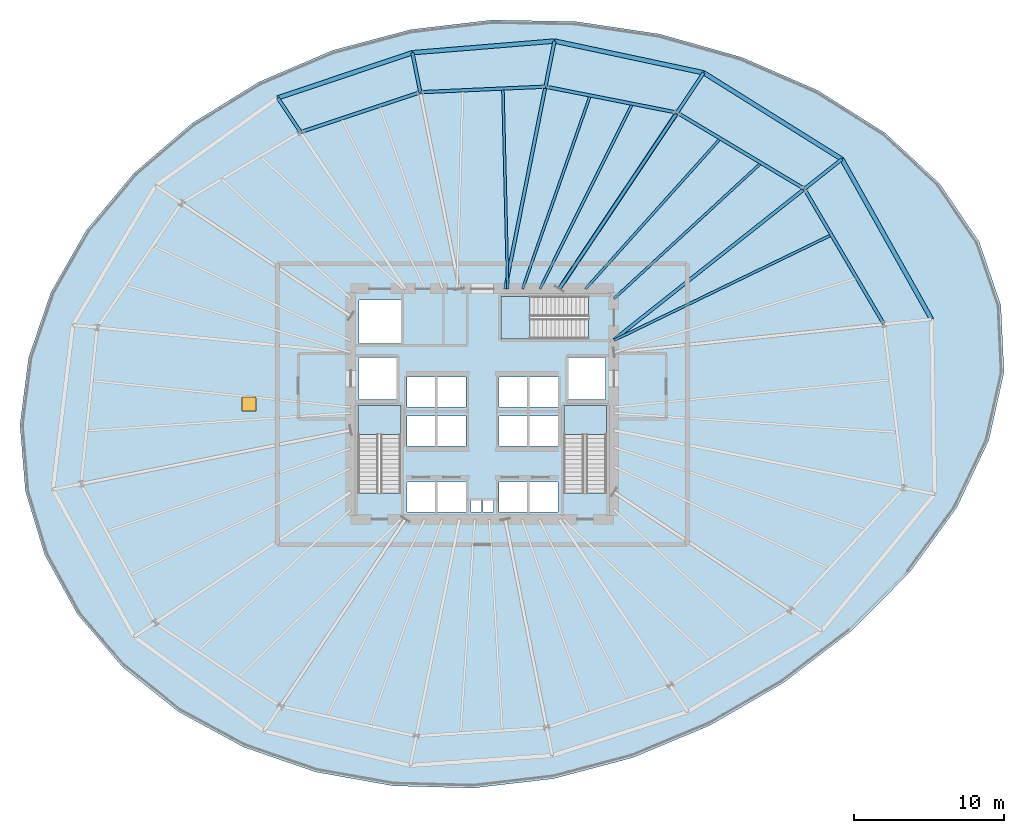
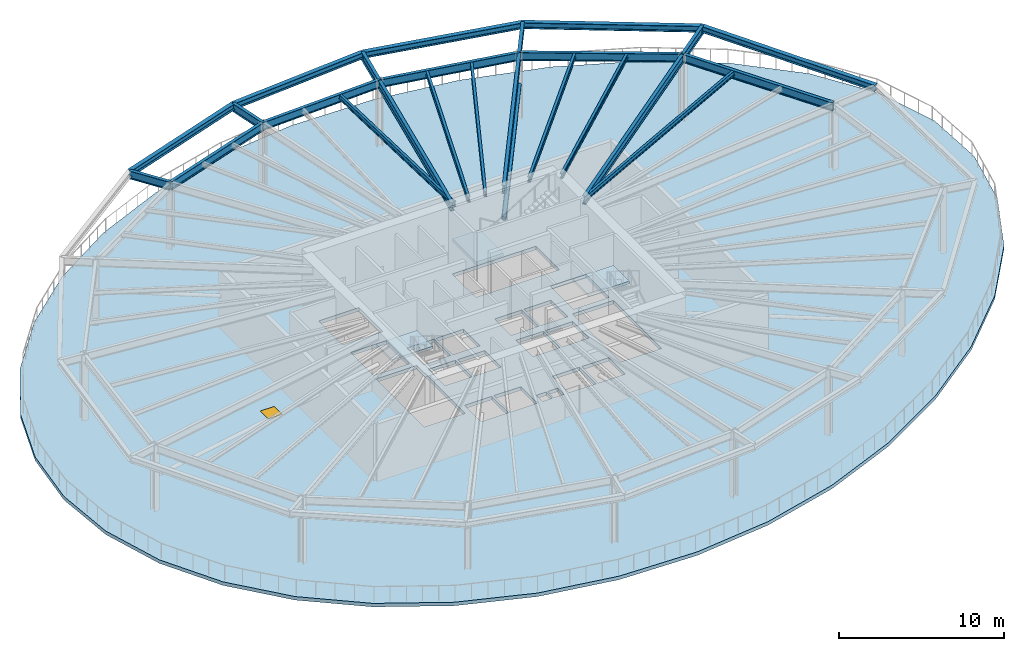
# One storey, part 3 of 9: 24 beams, 4 slabs, 1 door, 1 member, 1 opening, 3 elements without a shape of their own.
"""IFC4 building model written with IfcOpenShell, lengths in metres."""

import ifcopenshell
import ifcopenshell.guid

model = None  # the IFC model being written
_history = None  # IfcOwnerHistory: only IFC2X3 demands one
_inside = {}  # id of a spatial element -> (the spatial element, [elements in it])
_under = {}  # id of a project, library or spatial element -> (it, [spatial elements below it])
_declared = {}  # id of a project -> (the project, [libraries it declares])
_typed = {}  # id of a type object -> (the type object, [elements of that type])
_made_of = {}  # id of a material, layer set ... -> (it, [elements and type objects made of it])


def new_model(schema):
    """Start an empty IFC model of exactly this schema.

    Asked for "IFC4X3", IfcOpenShell would pick the latest addendum, in which some entities
    have other attributes; the version numbers below select the first issue.
    IFC2X3 requires an IfcOwnerHistory on every rooted entity: one is made here for all.
    """
    global model, _history
    if schema == "IFC4X3":
        model = ifcopenshell.file(schema_version=(4, 3, 0, 0))
    else:
        model = ifcopenshell.file(schema=schema)
    _inside.clear()
    _under.clear()
    _declared.clear()
    _typed.clear()
    _made_of.clear()
    _history = None
    if model.schema == "IFC2X3":
        org = make("IfcOrganization", Name="unknown")
        user = make(
            "IfcPersonAndOrganization",
            ThePerson=make("IfcPerson", FamilyName="unknown"),
            TheOrganization=org,
        )
        app = make(
            "IfcApplication",
            ApplicationDeveloper=org,
            Version="unknown",
            ApplicationFullName="unknown",
            ApplicationIdentifier="unknown",
        )
        _history = make(
            "IfcOwnerHistory",
            OwningUser=user,
            OwningApplication=app,
            ChangeAction="ADDED",
            CreationDate=0,
        )
    return model


def make(cls, **values):
    """One entity of the class cls with the attributes given. An attribute that is None is left unset."""
    return model.create_entity(
        cls, **{name: value for name, value in values.items() if value is not None}
    )


def rooted(cls, **values):
    """An entity with a GlobalId (a new one), such as an element, a storey or a relation."""
    return make(cls, GlobalId=ifcopenshell.guid.new(), OwnerHistory=_history, **values)


def si_unit(unit_type, name, prefix=None):
    """IfcSIUnit, for example si_unit("LENGTHUNIT", "METRE", prefix="MILLI")."""
    return make("IfcSIUnit", UnitType=unit_type, Prefix=prefix, Name=name)


def assignment(units):
    """IfcUnitAssignment: the units of a project."""
    return None if units is None else make("IfcUnitAssignment", Units=units)


def point(xyz):
    """IfcCartesianPoint."""
    return None if xyz is None else make("IfcCartesianPoint", Coordinates=xyz)


def direction(xyz):
    """IfcDirection."""
    return None if xyz is None else make("IfcDirection", DirectionRatios=xyz)


def frame(location, z_axis=None, x_axis=None):
    """IfcAxis2Placement3D, a coordinate frame: its origin and axes. An axis left out is left unset."""
    return make(
        "IfcAxis2Placement3D",
        Location=point(location),
        Axis=direction(z_axis),
        RefDirection=direction(x_axis),
    )


def frame_2d(location, x_axis=None):
    """IfcAxis2Placement2D, a coordinate frame in the plane: its origin and x axis."""
    return make(
        "IfcAxis2Placement2D", Location=point(location), RefDirection=direction(x_axis)
    )


def origin():
    """The frame at (0, 0, 0) with its axes left unset."""
    return frame((0.0, 0.0, 0.0))


def origin_2d():
    """The frame at (0, 0) in the plane with its x axis left unset."""
    return frame_2d((0.0, 0.0))


def place(relative_to, where):
    """IfcLocalPlacement: puts the frame where relative to a parent placement (None: the world)."""
    return make(
        "IfcLocalPlacement", PlacementRelTo=relative_to, RelativePlacement=where
    )


def context(
    kind, dimensions, precision=None, world=None, true_north=None, identifier=None
):
    """IfcGeometricRepresentationContext, for example the 3D "Model" context."""
    return make(
        "IfcGeometricRepresentationContext",
        ContextIdentifier=identifier,
        ContextType=kind,
        CoordinateSpaceDimension=dimensions,
        Precision=precision,
        WorldCoordinateSystem=world,
        TrueNorth=true_north,
    )


def subcontext(parent, identifier, kind, view, scale=None):
    """IfcGeometricRepresentationSubContext, for example "Body" below "Model"."""
    return make(
        "IfcGeometricRepresentationSubContext",
        ContextIdentifier=identifier,
        ContextType=kind,
        ParentContext=parent,
        TargetScale=scale,
        TargetView=view,
    )


def project(units=None, contexts=None):
    """IfcProject with its units and contexts."""
    return rooted(
        "IfcProject",
        Name="project",
        RepresentationContexts=contexts,
        UnitsInContext=assignment(units),
    )


def spatial(cls, under=None, at=None, **own):
    """A site, building, storey or space (cls), placed at a placement, below another one or the project."""
    s = rooted(cls, ObjectPlacement=at, **own)
    if under is not None:
        _under.setdefault(under.id(), (under, []))[1].append(s)
    return s


def polyline(points):
    """IfcPolyline through the points."""
    return make("IfcPolyline", Points=[point(p) for p in points])


def profile(cls, at=None, kind="AREA", **sizes):
    """A parametric profile (cls). Its sizes go by their IFC names, for example OverallWidth=200.0."""
    return make(cls, ProfileType=kind, Position=at, **sizes)


def rectangle(**sizes):
    """IfcRectangleProfileDef."""
    return profile("IfcRectangleProfileDef", **sizes)


def hollow_circle(**sizes):
    """IfcCircleHollowProfileDef."""
    return profile("IfcCircleHollowProfileDef", **sizes)


def i_section(**sizes):
    """IfcIShapeProfileDef."""
    return profile("IfcIShapeProfileDef", **sizes)


def outline(outer, holes=None, kind="AREA"):
    """IfcArbitraryClosedProfileDef: a profile drawn as a closed curve; with holes, ...WithVoids."""
    if holes is None:
        return make("IfcArbitraryClosedProfileDef", ProfileType=kind, OuterCurve=outer)
    return make(
        "IfcArbitraryProfileDefWithVoids",
        ProfileType=kind,
        OuterCurve=outer,
        InnerCurves=holes,
    )


def extrude(swept, where, along, depth):
    """IfcExtrudedAreaSolid: the profile swept, set in the frame where, extruded along a direction by depth."""
    return make(
        "IfcExtrudedAreaSolid",
        SweptArea=swept,
        Position=where,
        ExtrudedDirection=direction(along),
        Depth=depth,
    )


def shape(context_of_items, identifier, shape_type, items):
    """IfcShapeRepresentation: the items that make up one representation, for example the "Body"."""
    return make(
        "IfcShapeRepresentation",
        ContextOfItems=context_of_items,
        RepresentationIdentifier=identifier,
        RepresentationType=shape_type,
        Items=items,
    )


def source(mapping_origin, context_of_items, identifier, shape_type, items):
    """IfcRepresentationMap: a shape defined once, which mapped items show again and again."""
    return make(
        "IfcRepresentationMap",
        MappingOrigin=mapping_origin,
        MappedRepresentation=shape(context_of_items, identifier, shape_type, items),
    )


def transform(
    local_origin,
    x_axis=None,
    y_axis=None,
    z_axis=None,
    scale=None,
    scale2=None,
    scale3=None,
    uniform=True,
):
    """IfcCartesianTransformationOperator3D, or its non-uniform kind. x_axis, y_axis, z_axis: its Axis1, 2, 3."""
    if uniform:
        return make(
            "IfcCartesianTransformationOperator3D",
            Axis1=direction(x_axis),
            Axis2=direction(y_axis),
            LocalOrigin=point(local_origin),
            Scale=scale,
            Axis3=direction(z_axis),
        )
    return make(
        "IfcCartesianTransformationOperator3DnonUniform",
        Axis1=direction(x_axis),
        Axis2=direction(y_axis),
        LocalOrigin=point(local_origin),
        Scale=scale,
        Axis3=direction(z_axis),
        Scale2=scale2,
        Scale3=scale3,
    )


def mapped(mapping_source, mapping_target):
    """IfcMappedItem: shows the shape of a source again, moved by a transform."""
    return make(
        "IfcMappedItem", MappingSource=mapping_source, MappingTarget=mapping_target
    )


def material(Name=None, Category=None):
    """IfcMaterial."""
    return make("IfcMaterial", Name=Name, Category=Category)


def layer(
    of_material, thickness, ventilated=None, Name=None, Category=None, Priority=None
):
    """IfcMaterialLayer: one layer of a wall or slab, of a material (None: an air gap)."""
    return make(
        "IfcMaterialLayer",
        Material=of_material,
        LayerThickness=thickness,
        IsVentilated=ventilated,
        Name=Name,
        Category=Category,
        Priority=Priority,
    )


def layer_set(layers, Name=None):
    """IfcMaterialLayerSet."""
    return make("IfcMaterialLayerSet", MaterialLayers=layers, LayerSetName=Name)


def material_profile(
    of_material, cross_section, Name=None, Category=None, Priority=None
):
    """IfcMaterialProfile: a cross section and its material."""
    return make(
        "IfcMaterialProfile",
        Name=Name,
        Material=of_material,
        Profile=cross_section,
        Priority=Priority,
        Category=Category,
    )


def profile_set(profiles, Name=None, composite=None):
    """IfcMaterialProfileSet."""
    return make(
        "IfcMaterialProfileSet",
        Name=Name,
        MaterialProfiles=profiles,
        CompositeProfile=composite,
    )


def made_of(thing, what):
    """Note that an element or type object is made of a material, layer set ...; save() writes the relation."""
    if what is not None:
        _made_of.setdefault(what.id(), (what, []))[1].append(thing)
    return thing


def type_object(cls, material=None, **own):
    """A type object (cls), such as IfcWallType, which elements share."""
    return made_of(rooted(cls, **own), material)


def element(
    cls,
    number,
    at=None,
    inside=None,
    cuts=None,
    type_object=None,
    material=None,
    context=None,
    identifier="Body",
    shape_type=None,
    held_by="IfcProductDefinitionShape",
    body=None,
    shapes=None,
    **own,
):
    """One element of the class cls, such as IfcWall. Its Tag is "e" and its number.

    at: its placement. inside: the storey or other place that contains it. cuts: it is an
    opening in that element (IfcRelVoidsElement). A single representation is given by context,
    identifier, shape_type and body (its items); several are given by shapes. held_by: the class
    of the entity that holds the representations. save() writes the other relations.
    """
    e = rooted(cls, Tag="e%d" % number, ObjectPlacement=at, **own)
    if body is not None:
        shapes = [shape(context, identifier, shape_type, body)]
    if shapes is not None:
        e.Representation = make(held_by, Representations=shapes)
    if inside is not None:
        _inside.setdefault(inside.id(), (inside, []))[1].append(e)
    if cuts is not None:
        rooted(
            "IfcRelVoidsElement", RelatingBuildingElement=cuts, RelatedOpeningElement=e
        )
    if type_object is not None:
        _typed.setdefault(type_object.id(), (type_object, []))[1].append(e)
    return made_of(e, material)


def fill(opening, filler):
    """IfcRelFillsElement: the door or window that sits in an opening."""
    return rooted(
        "IfcRelFillsElement",
        RelatingOpeningElement=opening,
        RelatedBuildingElement=filler,
    )


def aggregate(whole, parts):
    """IfcRelAggregates: a whole, such as a stair, and the parts it consists of."""
    return rooted("IfcRelAggregates", RelatingObject=whole, RelatedObjects=parts)


def save(model, path):
    """Write the relations noted so far, then the file.

    IfcRelAggregates (storeys below a building ...), IfcRelContainedInSpatialStructure (elements
    in a storey), IfcRelDefinesByType, IfcRelAssociatesMaterial and IfcRelDeclares: one each for
    every whole, place, type object, material and project.
    """
    for whole, parts in _under.values():
        aggregate(whole, parts)
    for where, things in _inside.values():
        rooted(
            "IfcRelContainedInSpatialStructure",
            RelatedElements=things,
            RelatingStructure=where,
        )
    for kind, things in _typed.values():
        rooted("IfcRelDefinesByType", RelatedObjects=things, RelatingType=kind)
    for what, things in _made_of.values():
        rooted("IfcRelAssociatesMaterial", RelatedObjects=things, RelatingMaterial=what)
    for by, libraries in _declared.values():
        rooted("IfcRelDeclares", RelatingContext=by, RelatedDefinitions=libraries)
    model.write(path)


model = new_model("IFC4")

# Units and contexts
model_context = context("Model", 3, precision=1e-05, world=origin(), true_north=direction((0.0, 1.0)))
body_context = subcontext(model_context, "Body", "Model", "MODEL_VIEW")
ifc_project = project(units=[si_unit("LENGTHUNIT", "METRE"), si_unit("AREAUNIT", "SQUARE_METRE"), si_unit("VOLUMEUNIT", "CUBIC_METRE"), si_unit("PLANEANGLEUNIT", "RADIAN"), si_unit("MASSUNIT", "GRAM", prefix="KILO"), si_unit("THERMODYNAMICTEMPERATUREUNIT", "KELVIN")], contexts=[model_context])

# Site, building, storey
site_placement = place(None, origin())
site = spatial("IfcSite", under=ifc_project, at=site_placement, CompositionType="ELEMENT")
building_placement = place(site_placement, origin())
building = spatial("IfcBuilding", under=site, at=building_placement, Name="Kethvar Cultural Tower", CompositionType="ELEMENT")
storey_placement = place(building_placement, frame((0.0, 0.0, 75.199951171875)))
storey = spatial("IfcBuildingStorey", under=building, at=storey_placement, Name="L18", CompositionType="ELEMENT", Elevation=75.199951171875)

# Beams
ifc_material_1 = material(Name="Steel S355J2", Category="steel")
ifc_material_profile_1 = material_profile(ifc_material_1, i_section(OverallWidth=0.219970703125, OverallDepth=0.60009765625, WebThickness=0.011962890625, FlangeThickness=0.01904296875, FilletRadius=0.02392578125, at=origin_2d()), Name="Steel S355J2 — IPE600")
ifc_profile_set_1 = profile_set([ifc_material_profile_1], Name="Steel S355J2 — IPE600")
beam_type_1 = type_object("IfcBeamType", Name="BM-IPE600", PredefinedType="BEAM", material=ifc_profile_set_1)
shared_shape_1 = source(origin(), body_context, "Body", "SweptSolid", [
    extrude(i_section(OverallWidth=0.219970703125, OverallDepth=0.60009765625, WebThickness=0.011962890625, FlangeThickness=0.01904296875, FilletRadius=0.02392578125, at=origin_2d()), origin(), (0.0, 0.0, 1.0), 16.248779296875),
])
beam_1_placement = place(storey_placement, frame((55.60009765625, 32.10009765625, 4.588134765625), z_axis=(0.783831288624, 0.620973840813, 0.0), x_axis=(-0.620973840813, 0.783831288624, 0.0)))
element("IfcBeam", 1, at=beam_1_placement, inside=storey, type_object=beam_type_1, Name="L18 Primary Radial Beam RB-02", PredefinedType="BEAM", context=body_context, shape_type="MappedRepresentation", body=[
    mapped(shared_shape_1, transform((0.0, 0.0, 0.0), scale=1.0)),
])
shared_shape_2 = source(origin(), body_context, "Body", "SweptSolid", [
    extrude(i_section(OverallWidth=0.219970703125, OverallDepth=0.60009765625, WebThickness=0.011962890625, FlangeThickness=0.01904296875, FilletRadius=0.02392578125, at=origin_2d()), origin(), (0.0, 0.0, 1.0), 14.18359375),
])
beam_2_placement = place(storey_placement, frame((51.945068359375, 35.5, 4.588134765625), z_axis=(0.55556584065, 0.831472547174, 0.0), x_axis=(-0.831472547174, 0.55556584065, 0.0)))
element("IfcBeam", 2, at=beam_2_placement, inside=storey, type_object=beam_type_1, Name="L18 Primary Radial Beam RB-03", PredefinedType="BEAM", context=body_context, shape_type="MappedRepresentation", body=[
    mapped(shared_shape_2, transform((0.0, 0.0, 0.0), scale=1.0)),
])
shared_shape_3 = source(origin(), body_context, "Body", "SweptSolid", [
    extrude(i_section(OverallWidth=0.219970703125, OverallDepth=0.60009765625, WebThickness=0.011962890625, FlangeThickness=0.01904296875, FilletRadius=0.02392578125, at=origin_2d()), origin(), (0.0, 0.0, 1.0), 3.2001953125),
])
beam_3_placement = place(storey_placement, frame((59.824951171875, 47.293212890625, 4.588134765625), z_axis=(0.555544970406, 0.831486491686, 0.0), x_axis=(-0.831486491686, 0.555544970406, 0.0)))
element("IfcBeam", 3, at=beam_3_placement, inside=storey, type_object=beam_type_1, Name="L18 Perimeter Cantilever Beam RC-03", PredefinedType="BEAM", context=body_context, shape_type="MappedRepresentation", body=[
    mapped(shared_shape_3, transform((0.0, 0.0, 0.0), scale=1.0)),
])
shared_shape_4 = source(origin(), body_context, "Body", "SweptSolid", [
    extrude(i_section(OverallWidth=0.219970703125, OverallDepth=0.60009765625, WebThickness=0.011962890625, FlangeThickness=0.01904296875, FilletRadius=0.02392578125, at=origin_2d()), origin(), (0.0, 0.0, 1.0), 13.791015625),
])
beam_4_placement = place(storey_placement, frame((48.33154296875, 35.5, 4.588134765625), z_axis=(0.195104916429, 0.980782377281, 0.0), x_axis=(-0.980782377281, 0.195104916429, 0.0)))
element("IfcBeam", 4, at=beam_4_placement, inside=storey, type_object=beam_type_1, Name="L18 Primary Radial Beam RB-04", PredefinedType="BEAM", context=body_context, shape_type="MappedRepresentation", body=[
    mapped(shared_shape_4, transform((0.0, 0.0, 0.0), scale=1.0)),
])
shared_shape_5 = source(origin(), body_context, "Body", "SweptSolid", [
    extrude(i_section(OverallWidth=0.219970703125, OverallDepth=0.60009765625, WebThickness=0.011962890625, FlangeThickness=0.01904296875, FilletRadius=0.02392578125, at=origin_2d()), origin(), (0.0, 0.0, 1.0), 3.199951171875),
])
beam_5_placement = place(storey_placement, frame((68.33642578125, 42.190185546875, 4.588134765625), z_axis=(0.783844666756, 0.62095695374, 0.0), x_axis=(-0.62095695374, 0.783844666756, 0.0)))
element("IfcBeam", 5, at=beam_5_placement, inside=storey, type_object=beam_type_1, Name="L18 Perimeter Cantilever Beam RC-02", PredefinedType="BEAM", context=body_context, shape_type="MappedRepresentation", body=[
    mapped(shared_shape_5, transform((0.0, 0.0, 0.0), scale=1.0)),
])
shared_shape_6 = source(origin(), body_context, "Body", "SweptSolid", [
    extrude(i_section(OverallWidth=0.219970703125, OverallDepth=0.60009765625, WebThickness=0.011962890625, FlangeThickness=0.01904296875, FilletRadius=0.02392578125, at=origin_2d()), origin(), (0.0, 0.0, 1.0), 10.496337890625),
])
beam_6_placement = place(storey_placement, frame((73.65673828125, 33.14208984375, 4.588134765625), z_axis=(-0.506871712474, 0.862021500366, 0.0), x_axis=(-0.862021500366, -0.506871712474, 0.0)))
element("IfcBeam", 6, at=beam_6_placement, inside=storey, type_object=beam_type_1, Name="L18 Column Ring Tie Beam CR-01", PredefinedType="BEAM", context=body_context, shape_type="MappedRepresentation", body=[
    mapped(shared_shape_6, transform((0.0, 0.0, 0.0), scale=1.0)),
])
ifc_material_profile_2 = material_profile(ifc_material_1, i_section(OverallWidth=0.169921875, OverallDepth=0.360107421875, WebThickness=0.008056640625, FlangeThickness=0.0126953125, FilletRadius=0.01806640625, at=origin_2d()), Name="Steel S355J2 — IPE360")
ifc_profile_set_2 = profile_set([ifc_material_profile_2], Name="Steel S355J2 — IPE360")
beam_type_2 = type_object("IfcBeamType", Name="BM-J360", PredefinedType="JOIST", material=ifc_profile_set_2)
shared_shape_7 = source(origin(), body_context, "Body", "SweptSolid", [
    extrude(i_section(OverallWidth=0.169921875, OverallDepth=0.360107421875, WebThickness=0.008056640625, FlangeThickness=0.0126953125, FilletRadius=0.01806640625, at=origin_2d()), origin(), (0.0, 0.0, 1.0), 16.163330078125),
])
beam_7_placement = place(storey_placement, frame((55.60009765625, 32.064697265625, 4.7080078125), z_axis=(0.899890099721, 0.436116737151, 0.0), x_axis=(-0.436116737151, 0.899890099721, 0.0)))
element("IfcBeam", 7, at=beam_7_placement, inside=storey, type_object=beam_type_2, Name="L18 Composite Floor Joist J-01B", PredefinedType="JOIST", context=body_context, shape_type="MappedRepresentation", body=[
    mapped(shared_shape_7, transform((0.0, 0.0, 0.0), scale=1.0)),
])
shared_shape_8 = source(origin(), body_context, "Body", "SweptSolid", [
    extrude(i_section(OverallWidth=0.219970703125, OverallDepth=0.60009765625, WebThickness=0.011962890625, FlangeThickness=0.01904296875, FilletRadius=0.02392578125, at=origin_2d()), origin(), (0.0, 0.0, 1.0), 9.924072265625),
])
beam_8_placement = place(storey_placement, frame((68.33642578125, 42.190185546875, 4.588134765625), z_axis=(-0.857664361463, 0.514209921215, 0.0), x_axis=(-0.514209921215, -0.857664361463, 0.0)))
element("IfcBeam", 8, at=beam_8_placement, inside=storey, type_object=beam_type_1, Name="L18 Column Ring Tie Beam CR-02", PredefinedType="BEAM", context=body_context, shape_type="MappedRepresentation", body=[
    mapped(shared_shape_8, transform((0.0, 0.0, 0.0), scale=1.0)),
])
shared_shape_9 = source(origin(), body_context, "Body", "SweptSolid", [
    extrude(i_section(OverallWidth=0.169921875, OverallDepth=0.360107421875, WebThickness=0.008056640625, FlangeThickness=0.0126953125, FilletRadius=0.01806640625, at=origin_2d()), origin(), (0.0, 0.0, 1.0), 13.3876953125),
])
beam_9_placement = place(storey_placement, frame((55.60009765625, 34.85009765625, 4.7080078125), z_axis=(0.735175283276, 0.677877055859, 0.0), x_axis=(-0.677877055859, 0.735175283276, 0.0)))
element("IfcBeam", 9, at=beam_9_placement, inside=storey, type_object=beam_type_2, Name="L18 Composite Floor Joist J-02A", PredefinedType="JOIST", context=body_context, shape_type="MappedRepresentation", body=[
    mapped(shared_shape_9, transform((0.0, 0.0, 0.0), scale=1.0)),
])
shared_shape_10 = source(origin(), body_context, "Body", "SweptSolid", [
    extrude(i_section(OverallWidth=0.169921875, OverallDepth=0.360107421875, WebThickness=0.008056640625, FlangeThickness=0.0126953125, FilletRadius=0.01806640625, at=origin_2d()), origin(), (0.0, 0.0, 1.0), 13.508056640625),
])
beam_10_placement = place(storey_placement, frame((53.702392578125, 35.5, 4.7080078125), z_axis=(0.667503553274, 0.744606611821, 0.0), x_axis=(-0.744606611821, 0.667503553274, 0.0)))
element("IfcBeam", 10, at=beam_10_placement, inside=storey, type_object=beam_type_2, Name="L18 Composite Floor Joist J-02B", PredefinedType="JOIST", context=body_context, shape_type="MappedRepresentation", body=[
    mapped(shared_shape_10, transform((0.0, 0.0, 0.0), scale=1.0)),
])
shared_shape_11 = source(origin(), body_context, "Body", "SweptSolid", [
    extrude(i_section(OverallWidth=0.219970703125, OverallDepth=0.60009765625, WebThickness=0.011962890625, FlangeThickness=0.01904296875, FilletRadius=0.02392578125, at=origin_2d()), origin(), (0.0, 0.0, 1.0), 8.9716796875),
])
beam_11_placement = place(storey_placement, frame((59.824951171875, 47.293212890625, 4.588134765625), z_axis=(-0.981173751046, 0.193127083181, 0.0), x_axis=(-0.193127083181, -0.981173751046, 0.0)))
element("IfcBeam", 11, at=beam_11_placement, inside=storey, type_object=beam_type_1, Name="L18 Column Ring Tie Beam CR-03", PredefinedType="BEAM", context=body_context, shape_type="MappedRepresentation", body=[
    mapped(shared_shape_11, transform((0.0, 0.0, 0.0), scale=1.0)),
])
shared_shape_12 = source(origin(), body_context, "Body", "SweptSolid", [
    extrude(i_section(OverallWidth=0.169921875, OverallDepth=0.360107421875, WebThickness=0.008056640625, FlangeThickness=0.0126953125, FilletRadius=0.01806640625, at=origin_2d()), origin(), (0.0, 0.0, 1.0), 13.84130859375),
])
beam_12_placement = place(storey_placement, frame((50.646484375, 35.5, 4.7080078125), z_axis=(0.446889017672, 0.894589406311, 0.0), x_axis=(-0.894589406311, 0.446889017672, 0.0)))
element("IfcBeam", 12, at=beam_12_placement, inside=storey, type_object=beam_type_2, Name="L18 Composite Floor Joist J-03A", PredefinedType="JOIST", context=body_context, shape_type="MappedRepresentation", body=[
    mapped(shared_shape_12, transform((0.0, 0.0, 0.0), scale=1.0)),
])
shared_shape_13 = source(origin(), body_context, "Body", "SweptSolid", [
    extrude(i_section(OverallWidth=0.169921875, OverallDepth=0.360107421875, WebThickness=0.008056640625, FlangeThickness=0.0126953125, FilletRadius=0.01806640625, at=origin_2d()), origin(), (0.0, 0.0, 1.0), 13.70458984375),
])
beam_13_placement = place(storey_placement, frame((49.4921875, 35.5, 4.7080078125), z_axis=(0.330030618422, 0.943970227764, 0.0), x_axis=(-0.943970227764, 0.330030618422, 0.0)))
element("IfcBeam", 13, at=beam_13_placement, inside=storey, type_object=beam_type_2, Name="L18 Composite Floor Joist J-03B", PredefinedType="JOIST", context=body_context, shape_type="MappedRepresentation", body=[
    mapped(shared_shape_13, transform((0.0, 0.0, 0.0), scale=1.0)),
])
shared_shape_14 = source(origin(), body_context, "Body", "SweptSolid", [
    extrude(i_section(OverallWidth=0.219970703125, OverallDepth=0.60009765625, WebThickness=0.011962890625, FlangeThickness=0.01904296875, FilletRadius=0.02392578125, at=origin_2d()), origin(), (0.0, 0.0, 1.0), 8.378662109375),
])
beam_14_placement = place(storey_placement, frame((51.022216796875, 49.02587890625, 4.588134765625), z_axis=(-0.999023890534, -0.04417313825, 0.0), x_axis=(0.04417313825, -0.999023890534, 0.0)))
element("IfcBeam", 14, at=beam_14_placement, inside=storey, type_object=beam_type_1, Name="L18 Column Ring Tie Beam CR-04", PredefinedType="BEAM", context=body_context, shape_type="MappedRepresentation", body=[
    mapped(shared_shape_14, transform((0.0, 0.0, 0.0), scale=1.0)),
])
shared_shape_15 = source(origin(), body_context, "Body", "SweptSolid", [
    extrude(i_section(OverallWidth=0.169921875, OverallDepth=0.360107421875, WebThickness=0.008056640625, FlangeThickness=0.0126953125, FilletRadius=0.01806640625, at=origin_2d()), origin(), (0.0, 0.0, 1.0), 13.40380859375),
])
beam_15_placement = place(storey_placement, frame((48.5, 35.5, 4.7080078125), z_axis=(-0.024170322554, 0.999707855079, 0.0), x_axis=(-0.999707855079, -0.024170322554, 0.0)))
element("IfcBeam", 15, at=beam_15_placement, inside=storey, type_object=beam_type_2, Name="L18 Composite Floor Joist J-04A", PredefinedType="JOIST", context=body_context, shape_type="MappedRepresentation", body=[
    mapped(shared_shape_15, transform((0.0, 0.0, 0.0), scale=1.0)),
])
shared_shape_16 = source(origin(), body_context, "Body", "SweptSolid", [
    extrude(i_section(OverallWidth=0.219970703125, OverallDepth=0.60009765625, WebThickness=0.011962890625, FlangeThickness=0.01904296875, FilletRadius=0.02392578125, at=origin_2d()), origin(), (0.0, 0.0, 1.0), 8.437744140625),
])
beam_16_placement = place(storey_placement, frame((42.651611328125, 48.65576171875, 4.588134765625), z_axis=(-0.948772955115, -0.315958667618, 0.0), x_axis=(0.315958667618, -0.948772955115, 0.0)))
element("IfcBeam", 16, at=beam_16_placement, inside=storey, type_object=beam_type_1, Name="L18 Column Ring Tie Beam CR-05", PredefinedType="BEAM", context=body_context, shape_type="MappedRepresentation", body=[
    mapped(shared_shape_16, transform((0.0, 0.0, 0.0), scale=1.0)),
])
ifc_material_profile_3 = material_profile(ifc_material_1, i_section(OverallWidth=0.300048828125, OverallDepth=0.449951171875, WebThickness=0.013916015625, FlangeThickness=0.02587890625, FilletRadius=0.027099609375, at=origin_2d()), Name="Steel S355J2 — HEB450")
ifc_profile_set_3 = profile_set([ifc_material_profile_3], Name="Steel S355J2 — HEB450")
beam_type_3 = type_object("IfcBeamType", Name="BM-SP450", PredefinedType="SPANDREL", material=ifc_profile_set_3)
shared_shape_17 = source(origin(), body_context, "Body", "SweptSolid", [
    extrude(i_section(OverallWidth=0.300048828125, OverallDepth=0.449951171875, WebThickness=0.013916015625, FlangeThickness=0.02587890625, FilletRadius=0.027099609375, at=origin_2d()), origin(), (0.0, 0.0, 1.0), 12.266357421875),
])
beam_17_placement = place(storey_placement, frame((76.83935546875, 33.4755859375, 4.6630859375), z_axis=(-0.488708822027, 0.872446953845, 0.0), x_axis=(-0.872446953845, -0.488708822027, 0.0)))
element("IfcBeam", 17, at=beam_17_placement, inside=storey, type_object=beam_type_3, Name="L18 Perimeter Spandrel Beam SP-01", PredefinedType="SPANDREL", context=body_context, shape_type="MappedRepresentation", body=[
    mapped(shared_shape_17, transform((0.0, 0.0, 0.0), scale=1.0)),
])
shared_shape_18 = source(origin(), body_context, "Body", "SweptSolid", [
    extrude(i_section(OverallWidth=0.300048828125, OverallDepth=0.449951171875, WebThickness=0.013916015625, FlangeThickness=0.02587890625, FilletRadius=0.027099609375, at=origin_2d()), origin(), (0.0, 0.0, 1.0), 10.89892578125),
])
beam_18_placement = place(storey_placement, frame((70.8447265625, 44.17724609375, 4.6630859375), z_axis=(-0.847971875365, 0.530041223481, 0.0), x_axis=(-0.530041223481, -0.847971875365, 0.0)))
element("IfcBeam", 18, at=beam_18_placement, inside=storey, type_object=beam_type_3, Name="L18 Perimeter Spandrel Beam SP-02", PredefinedType="SPANDREL", context=body_context, shape_type="MappedRepresentation", body=[
    mapped(shared_shape_18, transform((0.0, 0.0, 0.0), scale=1.0)),
])
shared_shape_19 = source(origin(), body_context, "Body", "SweptSolid", [
    extrude(i_section(OverallWidth=0.219970703125, OverallDepth=0.60009765625, WebThickness=0.011962890625, FlangeThickness=0.01904296875, FilletRadius=0.02392578125, at=origin_2d()), origin(), (0.0, 0.0, 1.0), 3.11083984375),
])
beam_19_placement = place(storey_placement, frame((51.022216796875, 49.02587890625, 4.588134765625), z_axis=(0.195029332161, 0.980797410068, 0.0), x_axis=(-0.980797410068, 0.195029332161, 0.0)))
element("IfcBeam", 19, at=beam_19_placement, inside=storey, type_object=beam_type_1, Name="L18 Perimeter Cantilever Beam RC-04", PredefinedType="BEAM", context=body_context, shape_type="MappedRepresentation", body=[
    mapped(shared_shape_19, transform((0.0, 0.0, 0.0), scale=1.0)),
])
shared_shape_20 = source(origin(), body_context, "Body", "SweptSolid", [
    extrude(i_section(OverallWidth=0.219970703125, OverallDepth=0.60009765625, WebThickness=0.011962890625, FlangeThickness=0.01904296875, FilletRadius=0.02392578125, at=origin_2d()), origin(), (0.0, 0.0, 1.0), 2.693359375),
])
beam_20_placement = place(storey_placement, frame((42.651611328125, 48.65576171875, 4.588134765625), z_axis=(-0.19507010864, 0.980789300877, 0.0), x_axis=(-0.980789300877, -0.19507010864, 0.0)))
element("IfcBeam", 20, at=beam_20_placement, inside=storey, type_object=beam_type_1, Name="L18 Perimeter Cantilever Beam RC-05", PredefinedType="BEAM", context=body_context, shape_type="MappedRepresentation", body=[
    mapped(shared_shape_20, transform((0.0, 0.0, 0.0), scale=1.0)),
])
shared_shape_21 = source(origin(), body_context, "Body", "SweptSolid", [
    extrude(i_section(OverallWidth=0.219970703125, OverallDepth=0.60009765625, WebThickness=0.011962890625, FlangeThickness=0.01904296875, FilletRadius=0.02392578125, at=origin_2d()), origin(), (0.0, 0.0, 1.0), 2.74853515625),
])
beam_21_placement = place(storey_placement, frame((34.64599609375, 45.98974609375, 4.588134765625), z_axis=(-0.555581272011, 0.831462236178, 0.0), x_axis=(-0.831462236178, -0.555581272011, 0.0)))
element("IfcBeam", 21, at=beam_21_placement, inside=storey, type_object=beam_type_1, Name="L18 Perimeter Cantilever Beam RC-06", PredefinedType="BEAM", context=body_context, shape_type="MappedRepresentation", body=[
    mapped(shared_shape_21, transform((0.0, 0.0, 0.0), scale=1.0)),
])
shared_shape_22 = source(origin(), body_context, "Body", "SweptSolid", [
    extrude(i_section(OverallWidth=0.300048828125, OverallDepth=0.449951171875, WebThickness=0.013916015625, FlangeThickness=0.02587890625, FilletRadius=0.027099609375, at=origin_2d()), origin(), (0.0, 0.0, 1.0), 10.197265625),
])
beam_22_placement = place(storey_placement, frame((61.602783203125, 49.9541015625, 4.6630859375), z_axis=(-0.978091928786, 0.208173434529, 0.0), x_axis=(-0.208173434529, -0.978091928786, 0.0)))
element("IfcBeam", 22, at=beam_22_placement, inside=storey, type_object=beam_type_3, Name="L18 Perimeter Spandrel Beam SP-03", PredefinedType="SPANDREL", context=body_context, shape_type="MappedRepresentation", body=[
    mapped(shared_shape_22, transform((0.0, 0.0, 0.0), scale=1.0)),
])
shared_shape_23 = source(origin(), body_context, "Body", "SweptSolid", [
    extrude(i_section(OverallWidth=0.300048828125, OverallDepth=0.449951171875, WebThickness=0.013916015625, FlangeThickness=0.02587890625, FilletRadius=0.027099609375, at=origin_2d()), origin(), (0.0, 0.0, 1.0), 9.53466796875),
])
beam_23_placement = place(storey_placement, frame((51.62890625, 52.076904296875, 4.6630859375), z_axis=(-0.99665211902, -0.081759119699, 0.0), x_axis=(0.081759119699, -0.99665211902, 0.0)))
element("IfcBeam", 23, at=beam_23_placement, inside=storey, type_object=beam_type_3, Name="L18 Perimeter Spandrel Beam SP-04", PredefinedType="SPANDREL", context=body_context, shape_type="MappedRepresentation", body=[
    mapped(shared_shape_23, transform((0.0, 0.0, 0.0), scale=1.0)),
])
shared_shape_24 = source(origin(), body_context, "Body", "SweptSolid", [
    extrude(i_section(OverallWidth=0.300048828125, OverallDepth=0.449951171875, WebThickness=0.013916015625, FlangeThickness=0.02587890625, FilletRadius=0.027099609375, at=origin_2d()), origin(), (0.0, 0.0, 1.0), 9.500732421875),
])
beam_24_placement = place(storey_placement, frame((42.126220703125, 51.29736328125, 4.6630859375), z_axis=(-0.948057016755, -0.318100444799, 0.0), x_axis=(0.318100444799, -0.948057016755, 0.0)))
element("IfcBeam", 24, at=beam_24_placement, inside=storey, type_object=beam_type_3, Name="L18 Perimeter Spandrel Beam SP-05", PredefinedType="SPANDREL", context=body_context, shape_type="MappedRepresentation", body=[
    mapped(shared_shape_24, transform((0.0, 0.0, 0.0), scale=1.0)),
])

# Member
ifc_material_profile_4 = material_profile(ifc_material_1, hollow_circle(Radius=0.136474609375, WallThickness=0.012451171875, at=origin_2d()), Name="Steel S355J2 — CHS273x12.5")
ifc_profile_set_4 = profile_set([ifc_material_profile_4], Name="Steel S355J2 — CHS273x12.5")
member_type = type_object("IfcMemberType", Name="MB-WIND-STR", PredefinedType="STRUT", material=ifc_profile_set_4)
shared_shape_25 = source(origin(), body_context, "Body", "SweptSolid", [
    extrude(hollow_circle(Radius=0.136474609375, WallThickness=0.012451171875, at=origin_2d()), origin(), (0.0, 0.0, 1.0), 14.18359375),
])
member_placement = place(storey_placement, frame((51.945068359375, 35.5, 2.445068359375), z_axis=(0.55556584065, 0.831472547174, 0.0), x_axis=(-0.831472547174, 0.55556584065, 0.0)))
element("IfcMember", 25, at=member_placement, inside=storey, type_object=member_type, Name="L18 Wind-Floor Tie Strut WS-02", PredefinedType="STRUT", context=body_context, shape_type="MappedRepresentation", body=[
    mapped(shared_shape_25, transform((0.0, 0.0, 0.0), scale=1.0)),
])

# Stair, slab
ifc_material_2 = material(Name="Concrete C40/50", Category="concrete")
stair_type = type_object("IfcStairType", Name="ST-DOGLEG-135", PredefinedType="HALF_TURN_STAIR", material=ifc_material_2)
stair_1_placement = place(storey_placement, origin())
stair_1 = element("IfcStair", 26, at=stair_1_placement, inside=storey, type_object=stair_type, Name="L18 Core Exit Stair 1", PredefinedType="HALF_TURN_STAIR")
ifc_layer_1 = layer(ifc_material_2, 0.199951171875, Name="Concrete C40/50", Category="concrete")
ifc_layer_set_1 = layer_set([ifc_layer_1], Name="Concrete C40/50 (200 mm)")
slab_type_1 = type_object("IfcSlabType", Name="SL-STAIR-LANDING-200", PredefinedType="LANDING", material=ifc_layer_set_1)
slab_1_placement = place(storey_placement, frame((0.0, 0.0, 2.400146484375)))
slab_1 = element("IfcSlab", 27, at=slab_1_placement, type_object=slab_type_1, Name="ST-01 landing 1", PredefinedType="LANDING", context=body_context, shape_type="SweptSolid", body=[
    extrude(outline(polyline([(41.35009765625, 25.77001953125), (41.35009765625, 27.699951171875), (38.489990234375, 27.699951171875), (38.489990234375, 25.77001953125), (41.35009765625, 25.77001953125)])), origin(), (0.0, 0.0, 1.0), 0.199951171875),
])
aggregate(stair_1, [slab_1])

stair_2_placement = place(storey_placement, origin())
stair_2 = element("IfcStair", 28, at=stair_2_placement, inside=storey, type_object=stair_type, Name="L18 Core Exit Stair 2", PredefinedType="HALF_TURN_STAIR")
slab_2_placement = place(storey_placement, frame((0.0, 0.0, 2.400146484375)))
slab_2 = element("IfcSlab", 29, at=slab_2_placement, type_object=slab_type_1, Name="ST-02 landing 1", PredefinedType="LANDING", context=body_context, shape_type="SweptSolid", body=[
    extrude(outline(polyline([(55.110107421875, 25.77001953125), (55.110107421875, 27.699951171875), (52.25, 27.699951171875), (52.25, 25.77001953125), (55.110107421875, 25.77001953125)])), origin(), (0.0, 0.0, 1.0), 0.199951171875),
])
aggregate(stair_2, [slab_2])

stair_3_placement = place(storey_placement, origin())
stair_3 = element("IfcStair", 30, at=stair_3_placement, inside=storey, type_object=stair_type, Name="L18 Core Exit Stair 3", PredefinedType="HALF_TURN_STAIR")
slab_3_placement = place(storey_placement, frame((0.0, 0.0, 2.400146484375)))
slab_3 = element("IfcSlab", 31, at=slab_3_placement, type_object=slab_type_1, Name="ST-03 landing 1", PredefinedType="LANDING", context=body_context, shape_type="SweptSolid", body=[
    extrude(outline(polyline([(49.97998046875, 35.010009765625), (48.050048828125, 35.010009765625), (48.050048828125, 32.14990234375), (49.97998046875, 32.14990234375), (49.97998046875, 35.010009765625)])), origin(), (0.0, 0.0, 1.0), 0.199951171875),
])
aggregate(stair_3, [slab_3])

# Slab, opening, door
ifc_material_3 = material(Name="Concrete C45/55", Category="concrete")
ifc_layer_2 = layer(ifc_material_3, 0.260009765625, Name="Concrete C45/55", Category="concrete")
ifc_layer_set_2 = layer_set([ifc_layer_2], Name="Concrete C45/55 (260 mm)")
slab_type_2 = type_object("IfcSlabType", Name="SL-WIND-260", PredefinedType="FLOOR", material=ifc_layer_set_2)
slab_4_placement = place(storey_placement, frame((0.0, 0.0, -0.260009765625)))
slab_4 = element("IfcSlab", 32, at=slab_4_placement, inside=storey, type_object=slab_type_2, Name="L18 Structural Floor Slab", PredefinedType="FLOOR", context=body_context, shape_type="SweptSolid", body=[
    extrude(outline(polyline([(81.474365234375, 34.41455078125), (80.02587890625, 38.64501953125), (77.404052734375, 42.514892578125), (73.746826171875, 45.91748046875), (69.25, 48.765869140625), (64.1435546875, 50.99072265625), (58.66650390625, 52.541015625), (53.04150390625, 53.3798828125), (47.451904296875, 53.484619140625), (42.022705078125, 52.843017578125), (36.79052734375, 51.45068359375), (31.862548828125, 49.339599609375), (27.388427734375, 46.57421875), (23.50390625, 43.23828125), (20.327392578125, 39.433349609375), (17.955322265625, 35.27490234375), (16.459716796875, 30.88916015625), (15.8857421875, 26.40966796875), (16.251220703125, 21.972412109375), (17.544921875, 17.71240234375), (19.727294921875, 13.7587890625), (22.732666015625, 10.231689453125), (26.468994140625, 7.238525390625), (30.8232421875, 4.8701171875), (35.662841796875, 3.1982421875), (40.8408203125, 2.27392578125), (46.199951171875, 2.12548828125), (51.5771484375, 2.7568359375), (56.861083984375, 4.1591796875), (62.019775390625, 6.314208984375), (66.94091796875, 9.164794921875), (71.462646484375, 12.622314453125), (75.3916015625, 16.57080078125), (78.524169921875, 20.87451171875), (80.671875, 25.384521484375), (81.68505859375, 29.94775390625), (81.474365234375, 34.41455078125)]), holes=[polyline([(38.489990234375, 21.85009765625), (38.489990234375, 27.699951171875), (41.35009765625, 27.699951171875), (41.35009765625, 21.85009765625), (38.489990234375, 21.85009765625)]), polyline([(52.25, 21.85009765625), (52.25, 27.699951171875), (55.110107421875, 27.699951171875), (55.110107421875, 21.85009765625), (52.25, 21.85009765625)]), polyline([(53.89990234375, 32.14990234375), (48.050048828125, 32.14990234375), (48.050048828125, 35.010009765625), (53.89990234375, 35.010009765625), (53.89990234375, 32.14990234375)]), polyline([(41.75, 22.60009765625), (43.64990234375, 22.60009765625), (43.64990234375, 20.60009765625), (41.75, 20.60009765625), (41.75, 22.60009765625)]), polyline([(43.800048828125, 22.60009765625), (45.699951171875, 22.60009765625), (45.699951171875, 20.60009765625), (43.800048828125, 20.60009765625), (43.800048828125, 22.60009765625)]), polyline([(47.89990234375, 22.60009765625), (49.800048828125, 22.60009765625), (49.800048828125, 20.60009765625), (47.89990234375, 20.60009765625), (47.89990234375, 22.60009765625)]), polyline([(49.949951171875, 22.60009765625), (51.85009765625, 22.60009765625), (51.85009765625, 20.60009765625), (49.949951171875, 20.60009765625), (49.949951171875, 22.60009765625)]), polyline([(41.75, 27.0), (43.64990234375, 27.0), (43.64990234375, 25.0), (41.75, 25.0), (41.75, 27.0)]), polyline([(43.800048828125, 27.0), (45.699951171875, 27.0), (45.699951171875, 25.0), (43.800048828125, 25.0), (43.800048828125, 27.0)]), polyline([(47.89990234375, 27.0), (49.800048828125, 27.0), (49.800048828125, 25.0), (47.89990234375, 25.0), (47.89990234375, 27.0)]), polyline([(49.949951171875, 27.0), (51.85009765625, 27.0), (51.85009765625, 25.0), (49.949951171875, 25.0), (49.949951171875, 27.0)]), polyline([(41.75, 29.60009765625), (43.64990234375, 29.60009765625), (43.64990234375, 27.60009765625), (41.75, 27.60009765625), (41.75, 29.60009765625)]), polyline([(43.800048828125, 29.60009765625), (45.699951171875, 29.60009765625), (45.699951171875, 27.60009765625), (43.800048828125, 27.60009765625), (43.800048828125, 29.60009765625)]), polyline([(47.89990234375, 29.60009765625), (49.800048828125, 29.60009765625), (49.800048828125, 27.60009765625), (47.89990234375, 27.60009765625), (47.89990234375, 29.60009765625)]), polyline([(49.949951171875, 29.60009765625), (51.85009765625, 29.60009765625), (51.85009765625, 27.60009765625), (49.949951171875, 27.60009765625), (49.949951171875, 29.60009765625)]), polyline([(38.550048828125, 30.89990234375), (41.050048828125, 30.89990234375), (41.050048828125, 28.10009765625), (38.550048828125, 28.10009765625), (38.550048828125, 30.89990234375)]), polyline([(52.550048828125, 30.89990234375), (55.050048828125, 30.89990234375), (55.050048828125, 28.10009765625), (52.550048828125, 28.10009765625), (52.550048828125, 30.89990234375)]), polyline([(38.550048828125, 34.75), (41.35009765625, 34.75), (41.35009765625, 31.85009765625), (38.550048828125, 31.85009765625), (38.550048828125, 34.75)]), polyline([(46.050048828125, 21.35009765625), (46.75, 21.35009765625), (46.75, 20.60009765625), (46.050048828125, 20.60009765625), (46.050048828125, 21.35009765625)]), polyline([(46.85009765625, 21.35009765625), (47.550048828125, 21.35009765625), (47.550048828125, 20.60009765625), (46.85009765625, 20.60009765625), (46.85009765625, 21.35009765625)])]), origin(), (0.0, 0.0, 1.0), 0.260009765625),
])
opening_placement = place(slab_4_placement, frame((31.199951171875, 27.800048828125, -0.010009765625)))
opening = element("IfcOpeningElement", 33, at=opening_placement, cuts=slab_4, Name="Opening RH-05", PredefinedType="OPENING", context=body_context, shape_type="SweptSolid", body=[
    extrude(rectangle(XDim=0.949951171875, YDim=0.949951171875, at=origin_2d()), origin(), (0.0, 0.0, 1.0), 0.280029296875),
])
door_type = type_object("IfcDoorType", Name="DR-TRAP-ROOF", OperationType="SINGLE_SWING_LEFT", PredefinedType="TRAPDOOR", material=ifc_material_1)
door_placement = place(slab_4_placement, frame((31.199951171875, 27.800048828125, 0.199951171875)))
door = element("IfcDoor", 34, at=door_placement, inside=storey, type_object=door_type, Name="Lower Wind-Deck Inspection Hatch RH-05", OperationType="SINGLE_SWING_LEFT", OverallHeight=0.949951171875, OverallWidth=0.949951171875, PredefinedType="TRAPDOOR", context=body_context, shape_type="SweptSolid", body=[
    extrude(rectangle(XDim=0.949951171875, YDim=0.949951171875, at=origin_2d()), origin(), (0.0, 0.0, 1.0), 0.06005859375),
])
fill(opening, door)

save(model, "model.ifc")
